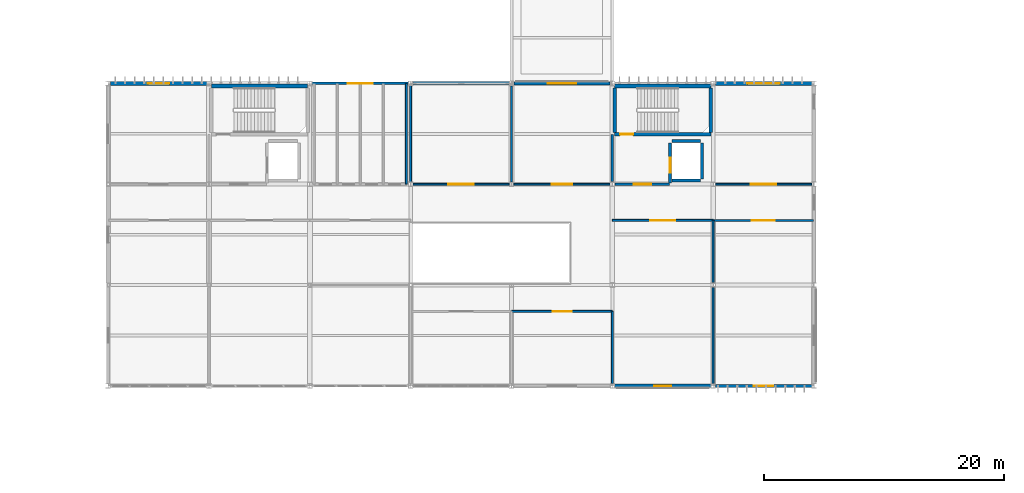
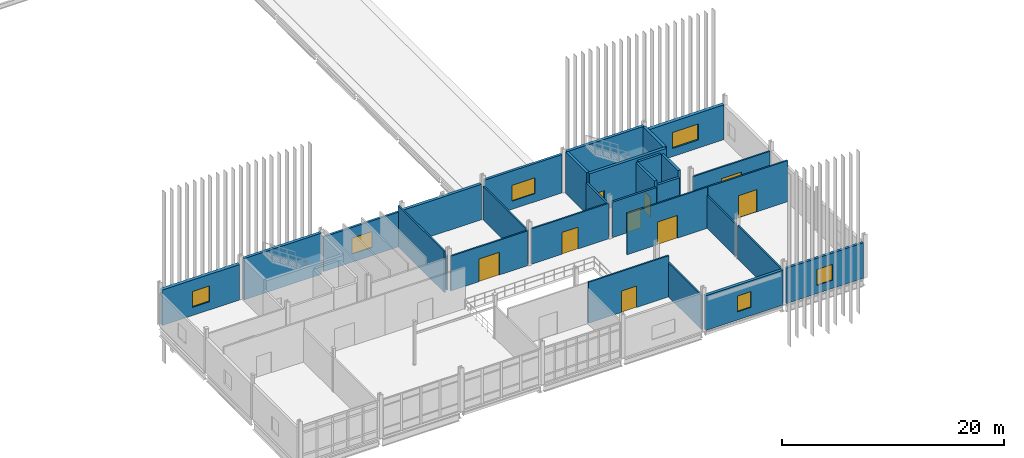
# One storey, part 50 of 72: 30 walls, 9 doors, 6 windows, 15 openings.
"""IFC4 building model written with IfcOpenShell, lengths in metres."""

from ifc_helpers import new_model, si_unit, direction, frame, frame_2d, origin, place, context, subcontext, project, spatial, rectangle, extrude, material, layer, layer_set, type_object, element, fill, save


model = new_model("IFC4")

# Units and contexts
model_context = context("Model", 3, precision=1e-05, world=origin(), true_north=direction((0.0, 1.0)))
body_context = subcontext(model_context, "Body", "Model", "MODEL_VIEW")
ifc_project = project(units=[si_unit("LENGTHUNIT", "METRE"), si_unit("AREAUNIT", "SQUARE_METRE"), si_unit("VOLUMEUNIT", "CUBIC_METRE"), si_unit("PLANEANGLEUNIT", "RADIAN"), si_unit("MASSUNIT", "GRAM", prefix="KILO")], contexts=[model_context])

# Site, building, storey
site_placement = place(None, origin())
site = spatial("IfcSite", under=ifc_project, at=site_placement, CompositionType="ELEMENT")
building_placement = place(site_placement, origin())
building = spatial("IfcBuilding", under=site, at=building_placement, Name="Calvrana Isthmian Art Gallery", CompositionType="ELEMENT")
storey_placement = place(building_placement, frame((0.0, 0.0, 15.0)))
storey = spatial("IfcBuildingStorey", under=building, at=storey_placement, Name="L03", CompositionType="ELEMENT", Elevation=15.0)

# Wall
ifc_material_1 = material(Name="Concrete C40/50", Category="concrete")
ifc_layer_1 = layer(ifc_material_1, 0.300048828125, Name="Concrete C40/50")
ifc_layer_set_1 = layer_set([ifc_layer_1], Name="Concrete C40/50")
wall_type_1 = type_object("IfcWallType", Name="CW-SHAFT-300", PredefinedType="SHEAR", material=ifc_layer_set_1)
wall_1_placement = place(storey_placement, frame((30.18994140625, 46.580078125, 0.0), z_axis=(0.0, 0.0, 1.0), x_axis=(1.0, 0.0, 0.0)))
element("IfcWall", 1, at=wall_1_placement, inside=storey, type_object=wall_type_1, Name="Core C1 shear wall N L03", PredefinedType="SHEAR", context=body_context, shape_type="SweptSolid", body=[
    extrude(rectangle(XDim=8.02001953125, YDim=0.300048828125, at=frame_2d((4.010009765625, 0.0))), origin(), (0.0, 0.0, 1.0), 4.5400390625),
])

# Wall, opening, door
wall_2_placement = place(storey_placement, frame((63.7900390625, 42.56005859375, 0.0), z_axis=(0.0, 0.0, 1.0), x_axis=(1.0, 0.0, 0.0)))
wall_2 = element("IfcWall", 2, at=wall_2_placement, inside=storey, type_object=wall_type_1, Name="Core C2 shear wall S L03", PredefinedType="SHEAR", context=body_context, shape_type="SweptSolid", body=[
    extrude(rectangle(XDim=8.02001953125, YDim=0.300048828125, at=frame_2d((4.010009765625, 0.0))), origin(), (0.0, 0.0, 1.0), 4.5400390625),
])
opening_1_placement = place(wall_2_placement, frame((0.449951171875, 0.0, 0.0)))
opening_1 = element("IfcOpeningElement", 3, at=opening_1_placement, cuts=wall_2, Name="Opening D-122", PredefinedType="OPENING", context=body_context, shape_type="SweptSolid", body=[
    extrude(rectangle(XDim=1.10009765625, YDim=2.14990234375, at=frame_2d((0.550048828125, 1.074951171875))), frame((0.0, 0.16015625, 0.0), z_axis=(0.0, -1.0, 0.0), x_axis=(1.0, 0.0, 0.0)), (0.0, 0.0, 1.0), 0.320556640625),
])
ifc_material_2 = material(Name="Steel ASTM A572 Gr 50", Category="steel")
door_type_1 = type_object("IfcDoorType", Name="DR-FIRE-1100", OperationType="NOTDEFINED", PredefinedType="DOOR", material=ifc_material_2)
door_1_placement = place(opening_1_placement, origin())
door_1 = element("IfcDoor", 4, at=door_1_placement, inside=storey, type_object=door_type_1, Name="Stair ST-2 fire door L03", OperationType="SINGLE_SWING_RIGHT", OverallHeight=2.14990234375, OverallWidth=1.10009765625, PredefinedType="DOOR", context=body_context, shape_type="SweptSolid", body=[
    extrude(rectangle(XDim=1.10009765625, YDim=2.14990234375, at=frame_2d((0.550048828125, 1.074951171875))), frame((0.0, 0.02490234375, 0.0), z_axis=(0.0, -1.0, 0.0), x_axis=(1.0, 0.0, 0.0)), (0.0, 0.0, 1.0), 0.050048828125),
])
fill(opening_1, door_1)

# Walls
wall_3_placement = place(storey_placement, frame((63.7900390625, 46.580078125, 0.0), z_axis=(0.0, 0.0, 1.0), x_axis=(1.0, 0.0, 0.0)))
element("IfcWall", 5, at=wall_3_placement, inside=storey, type_object=wall_type_1, Name="Core C2 shear wall N L03", PredefinedType="SHEAR", context=body_context, shape_type="SweptSolid", body=[
    extrude(rectangle(XDim=8.02001953125, YDim=0.300048828125, at=frame_2d((4.010009765625, 0.0))), origin(), (0.0, 0.0, 1.0), 4.5400390625),
])
for number, where, z_axis, x_axis, name in (
    (6, (63.7900390625, 42.7099609375, 0.0), (0.0, 0.0, 1.0), (0.0, 1.0, 0.0), "Core C2 shear wall W L03"),
    (7, (71.81005859375, 42.7099609375, 0.0), (0.0, 0.0, 1.0), (0.0, 1.0, 0.0), "Core C2 shear wall E L03"),
):
    element("IfcWall", number, at=place(storey_placement, frame(where, z_axis=z_axis, x_axis=x_axis)), inside=storey, type_object=wall_type_1, Name=name, PredefinedType="SHEAR", context=body_context, shape_type="SweptSolid", body=[
        extrude(rectangle(XDim=3.719970703125, YDim=0.300048828125, at=frame_2d((1.85986328125, 0.0))), origin(), (0.0, 0.0, 1.0), 4.5400390625),
    ])

# Wall, opening, window
ifc_material_3 = material(Name="Precast concrete C40/50", Category="concrete")
ifc_layer_2 = layer(ifc_material_3, 0.219970703125, Name="Precast concrete C40/50")
ifc_layer_set_2 = layer_set([ifc_layer_2], Name="Precast concrete C40/50")
wall_type_2 = type_object("IfcWallType", Name="EW-ACOUST-220", PredefinedType="SOLIDWALL", material=ifc_layer_set_2)
wall_4_placement = place(storey_placement, frame((38.58544921875, 46.800048828125, 0.0), z_axis=(0.0, 0.0, 1.0), x_axis=(1.0, 0.0, 0.0)))
wall_4 = element("IfcWall", 8, at=wall_4_placement, inside=storey, type_object=wall_type_2, Name="Exterior wall EW-148", PredefinedType="SOLIDWALL", context=body_context, shape_type="SweptSolid", body=[
    extrude(rectangle(XDim=8.030517578125, YDim=0.219970703125, at=frame_2d((4.01513671875, 0.0))), origin(), (0.0, 0.0, 1.0), 3.826904296875),
])
opening_2_placement = place(wall_4_placement, frame((2.96533203125, 0.0, 0.89990234375)))
opening_2 = element("IfcOpeningElement", 9, at=opening_2_placement, cuts=wall_4, Name="Opening W-105", PredefinedType="OPENING", context=body_context, shape_type="SweptSolid", body=[
    extrude(rectangle(XDim=2.10009765625, YDim=1.75, at=frame_2d((1.050048828125, 0.875))), frame((0.0, 0.1201171875, 0.0), z_axis=(0.0, -1.0, 0.0), x_axis=(1.0, 0.0, 0.0)), (0.0, 0.0, 1.0), 0.240478515625),
])
ifc_material_4 = material(Name="Low-E laminated solar glass", Category="glass")
window_type_1 = type_object("IfcWindowType", Name="WN-G12", PartitioningType="DOUBLE_PANEL_VERTICAL", PredefinedType="WINDOW", material=ifc_material_4)
window_1_placement = place(opening_2_placement, origin())
window_1 = element("IfcWindow", 10, at=window_1_placement, inside=storey, type_object=window_type_1, Name="Facade window W-105", OverallHeight=1.75, OverallWidth=2.10009765625, PartitioningType="SINGLE_PANEL", PredefinedType="WINDOW", context=body_context, shape_type="SweptSolid", body=[
    extrude(rectangle(XDim=2.10009765625, YDim=1.75, at=frame_2d((1.050048828125, 0.875))), frame((0.0, 0.030029296875, 0.0), z_axis=(0.0, -1.0, 0.0), x_axis=(1.0, 0.0, 0.0)), (0.0, 0.0, 1.0), 0.06005859375),
])
fill(opening_2, window_1)

ifc_material_5 = material(Name="Pale Isthmian limestone", Category="masonry")
ifc_layer_3 = layer(ifc_material_5, 0.300048828125, Name="Pale Isthmian limestone")
ifc_layer_set_3 = layer_set([ifc_layer_3], Name="Pale Isthmian limestone")
wall_type_3 = type_object("IfcWallType", Name="EW-LIME-300", PredefinedType="SOLIDWALL", material=ifc_layer_set_3)
wall_5_placement = place(storey_placement, frame((71.8134765625, 21.60009765625, 0.0), z_axis=(0.0, 0.0, 1.0), x_axis=(-1.0, 0.0, 0.0)))
wall_5 = element("IfcWall", 11, at=wall_5_placement, inside=storey, type_object=wall_type_3, Name="Exterior wall EW-145", PredefinedType="SOLIDWALL", context=body_context, shape_type="SweptSolid", body=[
    extrude(rectangle(XDim=8.02685546875, YDim=0.300048828125, at=frame_2d((4.013427734375, 0.0))), origin(), (0.0, 0.0, 1.0), 3.826904296875),
])
opening_3_placement = place(wall_5_placement, frame((3.3134765625, 0.0, 0.89990234375)))
opening_3 = element("IfcOpeningElement", 12, at=opening_3_placement, cuts=wall_5, Name="Opening W-102", PredefinedType="OPENING", context=body_context, shape_type="SweptSolid", body=[
    extrude(rectangle(XDim=1.39990234375, YDim=1.75, at=frame_2d((0.699951171875, 0.875))), frame((0.0, 0.16015625, 0.0), z_axis=(0.0, -1.0, 0.0), x_axis=(1.0, 0.0, 0.0)), (0.0, 0.0, 1.0), 0.320556640625),
])
window_type_2 = type_object("IfcWindowType", Name="WN-G09", PartitioningType="SINGLE_PANEL", PredefinedType="WINDOW", material=ifc_material_4)
window_2_placement = place(opening_3_placement, origin())
window_2 = element("IfcWindow", 13, at=window_2_placement, inside=storey, type_object=window_type_2, Name="Facade window W-102", OverallHeight=1.75, OverallWidth=1.39990234375, PartitioningType="SINGLE_PANEL", PredefinedType="WINDOW", context=body_context, shape_type="SweptSolid", body=[
    extrude(rectangle(XDim=1.39990234375, YDim=1.75, at=frame_2d((0.699951171875, 0.875))), frame((0.0, 0.030029296875, 0.0), z_axis=(0.0, -1.0, 0.0), x_axis=(1.0, 0.0, 0.0)), (0.0, 0.0, 1.0), 0.06005859375),
])
fill(opening_3, window_2)

# Wall
wall_6_placement = place(storey_placement, frame((46.98388671875, 46.800048828125, 0.0), z_axis=(0.0, 0.0, 1.0), x_axis=(1.0, 0.0, 0.0)))
element("IfcWall", 14, at=wall_6_placement, inside=storey, type_object=wall_type_3, Name="Exterior wall EW-149", PredefinedType="SOLIDWALL", context=body_context, shape_type="SweptSolid", body=[
    extrude(rectangle(XDim=8.029541015625, YDim=0.300048828125, at=frame_2d((4.0146484375, 0.0))), origin(), (0.0, 0.0, 1.0), 3.89794921875),
])

# Wall, opening, window
ifc_layer_4 = layer(ifc_material_3, 0.35009765625, Name="Precast concrete C40/50")
ifc_layer_set_4 = layer_set([ifc_layer_4], Name="Precast concrete C40/50")
wall_type_4 = type_object("IfcWallType", Name="EW-PREC-350", PredefinedType="SOLIDWALL", material=ifc_layer_set_4)
wall_7_placement = place(storey_placement, frame((21.78662109375, 46.800048828125, 0.0), z_axis=(0.0, 0.0, 1.0), x_axis=(1.0, 0.0, 0.0)))
wall_7 = element("IfcWall", 15, at=wall_7_placement, inside=storey, type_object=wall_type_4, Name="Exterior wall EW-147", PredefinedType="SOLIDWALL", context=body_context, shape_type="SweptSolid", body=[
    extrude(rectangle(XDim=8.02685546875, YDim=0.35009765625, at=frame_2d((4.013427734375, 0.0))), origin(), (0.0, 0.0, 1.0), 3.907958984375),
])
opening_4_placement = place(wall_7_placement, frame((3.113525390625, 0.0, 0.89990234375)))
opening_4 = element("IfcOpeningElement", 16, at=opening_4_placement, cuts=wall_7, Name="Opening W-104", PredefinedType="OPENING", context=body_context, shape_type="SweptSolid", body=[
    extrude(rectangle(XDim=1.800048828125, YDim=1.75, at=frame_2d((0.89990234375, 0.875))), frame((0.0, 0.185302734375, 0.0), z_axis=(0.0, -1.0, 0.0), x_axis=(1.0, 0.0, 0.0)), (0.0, 0.0, 1.0), 0.37060546875),
])
window_type_3 = type_object("IfcWindowType", Name="WN-G11", PartitioningType="DOUBLE_PANEL_VERTICAL", PredefinedType="WINDOW", material=ifc_material_4)
window_3_placement = place(opening_4_placement, origin())
window_3 = element("IfcWindow", 17, at=window_3_placement, inside=storey, type_object=window_type_3, Name="Facade window W-104", OverallHeight=1.75, OverallWidth=1.800048828125, PartitioningType="SINGLE_PANEL", PredefinedType="WINDOW", context=body_context, shape_type="SweptSolid", body=[
    extrude(rectangle(XDim=1.800048828125, YDim=1.75, at=frame_2d((0.89990234375, 0.875))), frame((0.0, 0.030029296875, 0.0), z_axis=(0.0, -1.0, 0.0), x_axis=(1.0, 0.0, 0.0)), (0.0, 0.0, 1.0), 0.06005859375),
])
fill(opening_4, window_3)

wall_8_placement = place(storey_placement, frame((72.185546875, 46.800048828125, 0.0), z_axis=(0.0, 0.0, 1.0), x_axis=(1.0, 0.0, 0.0)))
wall_8 = element("IfcWall", 18, at=wall_8_placement, inside=storey, type_object=wall_type_4, Name="Exterior wall EW-151", PredefinedType="SOLIDWALL", context=body_context, shape_type="SweptSolid", body=[
    extrude(rectangle(XDim=8.030517578125, YDim=0.35009765625, at=frame_2d((4.01513671875, 0.0))), origin(), (0.0, 0.0, 1.0), 3.826904296875),
])
opening_5_placement = place(wall_8_placement, frame((2.665283203125, 0.0, 0.89990234375)))
opening_5 = element("IfcOpeningElement", 19, at=opening_5_placement, cuts=wall_8, Name="Opening W-107", PredefinedType="OPENING", context=body_context, shape_type="SweptSolid", body=[
    extrude(rectangle(XDim=2.699951171875, YDim=1.75, at=frame_2d((1.35009765625, 0.875))), frame((0.0, 0.185302734375, 0.0), z_axis=(0.0, -1.0, 0.0), x_axis=(1.0, 0.0, 0.0)), (0.0, 0.0, 1.0), 0.37060546875),
])
window_type_4 = type_object("IfcWindowType", Name="WN-G14", PartitioningType="DOUBLE_PANEL_VERTICAL", PredefinedType="WINDOW", material=ifc_material_4)
window_4_placement = place(opening_5_placement, origin())
window_4 = element("IfcWindow", 20, at=window_4_placement, inside=storey, type_object=window_type_4, Name="Facade window W-107", OverallHeight=1.75, OverallWidth=2.699951171875, PartitioningType="SINGLE_PANEL", PredefinedType="WINDOW", context=body_context, shape_type="SweptSolid", body=[
    extrude(rectangle(XDim=2.699951171875, YDim=1.75, at=frame_2d((1.35009765625, 0.875))), frame((0.0, 0.030029296875, 0.0), z_axis=(0.0, -1.0, 0.0), x_axis=(1.0, 0.0, 0.0)), (0.0, 0.0, 1.0), 0.06005859375),
])
fill(opening_5, window_4)

ifc_material_6 = material(Name="Polychrome glazed terracotta", Category="masonry")
ifc_layer_5 = layer(ifc_material_6, 0.25, Name="Polychrome glazed terracotta")
ifc_layer_set_5 = layer_set([ifc_layer_5], Name="Polychrome glazed terracotta")
wall_type_5 = type_object("IfcWallType", Name="EW-TERRA-250", PredefinedType="SOLIDWALL", material=ifc_layer_set_5)
wall_9_placement = place(storey_placement, frame((80.214599609375, 21.60009765625, 0.0), z_axis=(0.0, 0.0, 1.0), x_axis=(-1.0, 0.0, 0.0)))
wall_9 = element("IfcWall", 21, at=wall_9_placement, inside=storey, type_object=wall_type_5, Name="Exterior wall EW-146", PredefinedType="SOLIDWALL", context=body_context, shape_type="SweptSolid", body=[
    extrude(rectangle(XDim=8.028076171875, YDim=0.25, at=frame_2d((4.01416015625, 0.0))), origin(), (0.0, 0.0, 1.0), 3.89794921875),
])
opening_6_placement = place(wall_9_placement, frame((3.214111328125, 0.0, 0.89990234375)))
opening_6 = element("IfcOpeningElement", 22, at=opening_6_placement, cuts=wall_9, Name="Opening W-103", PredefinedType="OPENING", context=body_context, shape_type="SweptSolid", body=[
    extrude(rectangle(XDim=1.60009765625, YDim=1.75, at=frame_2d((0.800048828125, 0.875))), frame((0.0, 0.13525390625, 0.0), z_axis=(0.0, -1.0, 0.0), x_axis=(1.0, 0.0, 0.0)), (0.0, 0.0, 1.0), 0.2705078125),
])
window_type_5 = type_object("IfcWindowType", Name="WN-G10", PartitioningType="SINGLE_PANEL", PredefinedType="WINDOW", material=ifc_material_4)
window_5_placement = place(opening_6_placement, origin())
window_5 = element("IfcWindow", 23, at=window_5_placement, inside=storey, type_object=window_type_5, Name="Facade window W-103", OverallHeight=1.75, OverallWidth=1.60009765625, PartitioningType="SINGLE_PANEL", PredefinedType="WINDOW", context=body_context, shape_type="SweptSolid", body=[
    extrude(rectangle(XDim=1.60009765625, YDim=1.75, at=frame_2d((0.800048828125, 0.875))), frame((0.0, 0.030029296875, 0.0), z_axis=(0.0, -1.0, 0.0), x_axis=(1.0, 0.0, 0.0)), (0.0, 0.0, 1.0), 0.06005859375),
])
fill(opening_6, window_5)

wall_10_placement = place(storey_placement, frame((55.386474609375, 46.800048828125, 0.0), z_axis=(0.0, 0.0, 1.0), x_axis=(1.0, 0.0, 0.0)))
wall_10 = element("IfcWall", 24, at=wall_10_placement, inside=storey, type_object=wall_type_5, Name="Exterior wall EW-150", PredefinedType="SOLIDWALL", context=body_context, shape_type="SweptSolid", body=[
    extrude(rectangle(XDim=8.027099609375, YDim=0.25, at=frame_2d((4.013671875, 0.0))), origin(), (0.0, 0.0, 1.0), 4.215087890625),
])
opening_7_placement = place(wall_10_placement, frame((2.8134765625, 0.0, 0.89990234375)))
opening_7 = element("IfcOpeningElement", 25, at=opening_7_placement, cuts=wall_10, Name="Opening W-106", PredefinedType="OPENING", context=body_context, shape_type="SweptSolid", body=[
    extrude(rectangle(XDim=2.39990234375, YDim=1.75, at=frame_2d((1.199951171875, 0.875))), frame((0.0, 0.13525390625, 0.0), z_axis=(0.0, -1.0, 0.0), x_axis=(1.0, 0.0, 0.0)), (0.0, 0.0, 1.0), 0.2705078125),
])
window_type_6 = type_object("IfcWindowType", Name="WN-G13", PartitioningType="DOUBLE_PANEL_VERTICAL", PredefinedType="WINDOW", material=ifc_material_4)
window_6_placement = place(opening_7_placement, origin())
window_6 = element("IfcWindow", 26, at=window_6_placement, inside=storey, type_object=window_type_6, Name="Facade window W-106", OverallHeight=1.75, OverallWidth=2.39990234375, PartitioningType="SINGLE_PANEL", PredefinedType="WINDOW", context=body_context, shape_type="SweptSolid", body=[
    extrude(rectangle(XDim=2.39990234375, YDim=1.75, at=frame_2d((1.199951171875, 0.875))), frame((0.0, 0.030029296875, 0.0), z_axis=(0.0, -1.0, 0.0), x_axis=(1.0, 0.0, 0.0)), (0.0, 0.0, 1.0), 0.06005859375),
])
fill(opening_7, window_6)

# Wall
ifc_material_7 = material(Name="Acoustic gypsum ceiling", Category="gypsum")
ifc_layer_6 = layer(ifc_material_7, 0.199951171875, Name="Acoustic gypsum ceiling")
ifc_layer_set_6 = layer_set([ifc_layer_6], Name="Acoustic gypsum ceiling")
wall_type_6 = type_object("IfcWallType", Name="PW-FIRE-200", PredefinedType="PARTITIONING", material=ifc_layer_set_6)
wall_11_placement = place(storey_placement, frame((63.60009765625, 38.6201171875, 0.0), z_axis=(0.0, 0.0, 1.0), x_axis=(0.0, 1.0, 0.0)))
element("IfcWall", 27, at=wall_11_placement, inside=storey, type_object=wall_type_6, Name="Core C2 lobby west closure L03", PredefinedType="PARTITIONING", context=body_context, shape_type="SweptSolid", body=[
    extrude(rectangle(XDim=3.919921875, YDim=0.199951171875, at=frame_2d((1.9599609375, 0.0))), origin(), (0.0, 0.0, 1.0), 3.593017578125),
])

# Wall, opening, door
wall_12_placement = place(storey_placement, frame((63.820068359375, 38.39990234375, 0.0), z_axis=(0.0, 0.0, 1.0), x_axis=(1.0, 0.0, 0.0)))
wall_12 = element("IfcWall", 28, at=wall_12_placement, inside=storey, type_object=wall_type_6, Name="Core C2 lobby enclosure L03", PredefinedType="PARTITIONING", context=body_context, shape_type="SweptSolid", body=[
    extrude(rectangle(XDim=4.559814453125, YDim=0.199951171875, at=frame_2d((2.27978515625, 0.0))), origin(), (0.0, 0.0, 1.0), 3.907958984375),
])
opening_8_placement = place(wall_12_placement, frame((1.554931640625, 0.0, 0.0)))
opening_8 = element("IfcOpeningElement", 29, at=opening_8_placement, cuts=wall_12, Name="Opening D-123", PredefinedType="OPENING", context=body_context, shape_type="SweptSolid", body=[
    extrude(rectangle(XDim=1.449951171875, YDim=2.199951171875, at=frame_2d((0.72509765625, 1.10009765625))), frame((0.0, 0.1103515625, 0.0), z_axis=(0.0, -1.0, 0.0), x_axis=(1.0, 0.0, 0.0)), (0.0, 0.0, 1.0), 0.220458984375),
])
door_type_2 = type_object("IfcDoorType", Name="DR-LOBBY-1450", OperationType="DOUBLE_DOOR_SINGLE_SWING", PredefinedType="DOOR", material=ifc_material_2)
door_2_placement = place(opening_8_placement, origin())
door_2 = element("IfcDoor", 30, at=door_2_placement, inside=storey, type_object=door_type_2, Name="Core C2 lobby fire door L03", OperationType="DOUBLE_DOOR_SINGLE_SWING", OverallHeight=2.199951171875, OverallWidth=1.449951171875, PredefinedType="DOOR", context=body_context, shape_type="SweptSolid", body=[
    extrude(rectangle(XDim=1.449951171875, YDim=2.199951171875, at=frame_2d((0.72509765625, 1.10009765625))), frame((0.0, 0.02490234375, 0.0), z_axis=(0.0, -1.0, 0.0), x_axis=(1.0, 0.0, 0.0)), (0.0, 0.0, 1.0), 0.050048828125),
])
fill(opening_8, door_2)

ifc_layer_7 = layer(ifc_material_7, 0.159912109375, Name="Acoustic gypsum ceiling")
ifc_layer_set_7 = layer_set([ifc_layer_7], Name="Acoustic gypsum ceiling")
wall_type_7 = type_object("IfcWallType", Name="PW-GAL-160", PredefinedType="PARTITIONING", material=ifc_layer_set_7)
wall_13_placement = place(storey_placement, frame((55.219970703125, 27.800048828125, 0.0), z_axis=(0.0, 0.0, 1.0), x_axis=(1.0, 0.0, 0.0)))
wall_13 = element("IfcWall", 31, at=wall_13_placement, inside=storey, type_object=wall_type_7, Name="Interior partition PW-526", PredefinedType="PARTITIONING", context=body_context, shape_type="SweptSolid", body=[
    extrude(rectangle(XDim=8.360107421875, YDim=0.159912109375, at=frame_2d((4.18017578125, 0.0))), origin(), (0.0, 0.0, 1.0), 4.52001953125),
])
opening_9_placement = place(wall_13_placement, frame((3.39990234375, 0.0, 0.0)))
opening_9 = element("IfcOpeningElement", 32, at=opening_9_placement, cuts=wall_13, Name="Opening D-472", PredefinedType="OPENING", context=body_context, shape_type="SweptSolid", body=[
    extrude(rectangle(XDim=1.60009765625, YDim=2.35009765625, at=frame_2d((0.800048828125, 1.175048828125))), frame((0.0, 0.09033203125, 0.0), z_axis=(0.0, -1.0, 0.0), x_axis=(1.0, 0.0, 0.0)), (0.0, 0.0, 1.0), 0.180419921875),
])
ifc_material_8 = material(Name="Timber gallery flooring", Category="wood")
door_type_3 = type_object("IfcDoorType", Name="DR-GAL-1600", OperationType="DOUBLE_DOOR_SINGLE_SWING", PredefinedType="DOOR", material=ifc_material_8)
door_3_placement = place(opening_9_placement, origin())
door_3 = element("IfcDoor", 33, at=door_3_placement, inside=storey, type_object=door_type_3, Name="Interior door D-472", OperationType="DOUBLE_DOOR_SINGLE_SWING", OverallHeight=2.35009765625, OverallWidth=1.60009765625, PredefinedType="DOOR", context=body_context, shape_type="SweptSolid", body=[
    extrude(rectangle(XDim=1.60009765625, YDim=2.35009765625, at=frame_2d((0.800048828125, 1.175048828125))), frame((0.0, 0.02490234375, 0.0), z_axis=(0.0, -1.0, 0.0), x_axis=(1.0, 0.0, 0.0)), (0.0, 0.0, 1.0), 0.050048828125),
])
fill(opening_9, door_3)

# Wall
wall_14_placement = place(storey_placement, frame((63.60009765625, 21.801513671875, 0.0), z_axis=(0.0, 0.0, 1.0), x_axis=(0.0, 1.0, 0.0)))
element("IfcWall", 34, at=wall_14_placement, inside=storey, type_object=wall_type_7, Name="Interior partition PW-527", PredefinedType="PARTITIONING", context=body_context, shape_type="SweptSolid", body=[
    extrude(rectangle(XDim=5.99853515625, YDim=0.159912109375, at=frame_2d((2.999267578125, 0.0))), origin(), (0.0, 0.0, 1.0), 3.748046875),
])

# Wall, opening, door
wall_15_placement = place(storey_placement, frame((63.610107421875, 35.389892578125, 0.0), z_axis=(0.0, 0.0, 1.0), x_axis=(1.0, 0.0, 0.0)))
wall_15 = element("IfcWall", 35, at=wall_15_placement, inside=storey, type_object=wall_type_7, Name="Interior partition PW-528", PredefinedType="PARTITIONING", context=body_context, shape_type="SweptSolid", body=[
    extrude(rectangle(XDim=8.3798828125, YDim=0.159912109375, at=frame_2d((4.18994140625, 0.0))), origin(), (0.0, 0.0, 1.0), 4.52001953125),
])
opening_10_placement = place(wall_15_placement, frame((3.139892578125, 0.0, 0.0)))
opening_10 = element("IfcOpeningElement", 36, at=opening_10_placement, cuts=wall_15, Name="Opening D-473", PredefinedType="OPENING", context=body_context, shape_type="SweptSolid", body=[
    extrude(rectangle(XDim=2.10009765625, YDim=2.5, at=frame_2d((1.050048828125, 1.25))), frame((0.0, 0.09033203125, 0.0), z_axis=(0.0, -1.0, 0.0), x_axis=(1.0, 0.0, 0.0)), (0.0, 0.0, 1.0), 0.180419921875),
])
door_type_4 = type_object("IfcDoorType", Name="DR-GAL-2100", OperationType="DOUBLE_DOOR_SINGLE_SWING", PredefinedType="DOOR", material=ifc_material_8)
door_4_placement = place(opening_10_placement, origin())
door_4 = element("IfcDoor", 37, at=door_4_placement, inside=storey, type_object=door_type_4, Name="Interior door D-473", OperationType="DOUBLE_DOOR_SINGLE_SWING", OverallHeight=2.5, OverallWidth=2.10009765625, PredefinedType="DOOR", context=body_context, shape_type="SweptSolid", body=[
    extrude(rectangle(XDim=2.10009765625, YDim=2.5, at=frame_2d((1.050048828125, 1.25))), frame((0.0, 0.02490234375, 0.0), z_axis=(0.0, -1.0, 0.0), x_axis=(1.0, 0.0, 0.0)), (0.0, 0.0, 1.0), 0.050048828125),
])
fill(opening_10, door_4)

# Walls
wall_16_placement = place(storey_placement, frame((72.0, 21.799072265625, 0.0), z_axis=(0.0, 0.0, 1.0), x_axis=(0.0, 1.0, 0.0)))
element("IfcWall", 38, at=wall_16_placement, inside=storey, type_object=wall_type_7, Name="Interior partition PW-529", PredefinedType="PARTITIONING", context=body_context, shape_type="SweptSolid", body=[
    extrude(rectangle(XDim=7.99951171875, YDim=0.159912109375, at=frame_2d((3.999755859375, 0.0))), origin(), (0.0, 0.0, 1.0), 3.6640625),
])
wall_17_placement = place(storey_placement, frame((72.0, 30.201416015625, 0.0), z_axis=(0.0, 0.0, 1.0), x_axis=(0.0, 1.0, 0.0)))
element("IfcWall", 39, at=wall_17_placement, inside=storey, type_object=wall_type_7, Name="Interior partition PW-530", PredefinedType="PARTITIONING", context=body_context, shape_type="SweptSolid", body=[
    extrude(rectangle(XDim=5.178466796875, YDim=0.159912109375, at=frame_2d((2.58935546875, 0.0))), origin(), (0.0, 0.0, 1.0), 3.593017578125),
])

# Wall, opening, door
wall_18_placement = place(storey_placement, frame((72.010009765625, 35.389892578125, 0.0), z_axis=(0.0, 0.0, 1.0), x_axis=(1.0, 0.0, 0.0)))
wall_18 = element("IfcWall", 40, at=wall_18_placement, inside=storey, type_object=wall_type_7, Name="Interior partition PW-531", PredefinedType="PARTITIONING", context=body_context, shape_type="SweptSolid", body=[
    extrude(rectangle(XDim=8.330078125, YDim=0.159912109375, at=frame_2d((4.1650390625, 0.0))), origin(), (0.0, 0.0, 1.0), 4.52001953125),
])
opening_11_placement = place(wall_18_placement, frame((3.215087890625, 0.0, 0.0)))
opening_11 = element("IfcOpeningElement", 41, at=opening_11_placement, cuts=wall_18, Name="Opening D-474", PredefinedType="OPENING", context=body_context, shape_type="SweptSolid", body=[
    extrude(rectangle(XDim=1.89990234375, YDim=2.449951171875, at=frame_2d((0.949951171875, 1.22509765625))), frame((0.0, 0.09033203125, 0.0), z_axis=(0.0, -1.0, 0.0), x_axis=(1.0, 0.0, 0.0)), (0.0, 0.0, 1.0), 0.180419921875),
])
door_type_5 = type_object("IfcDoorType", Name="DR-GAL-1900", OperationType="DOUBLE_DOOR_SINGLE_SWING", PredefinedType="DOOR", material=ifc_material_8)
door_5_placement = place(opening_11_placement, origin())
door_5 = element("IfcDoor", 42, at=door_5_placement, inside=storey, type_object=door_type_5, Name="Interior door D-474", OperationType="DOUBLE_DOOR_SINGLE_SWING", OverallHeight=2.449951171875, OverallWidth=1.89990234375, PredefinedType="DOOR", context=body_context, shape_type="SweptSolid", body=[
    extrude(rectangle(XDim=1.89990234375, YDim=2.449951171875, at=frame_2d((0.949951171875, 1.22509765625))), frame((0.0, 0.02490234375, 0.0), z_axis=(0.0, -1.0, 0.0), x_axis=(1.0, 0.0, 0.0)), (0.0, 0.0, 1.0), 0.050048828125),
])
fill(opening_11, door_5)

# Walls
wall_19_placement = place(storey_placement, frame((46.43994140625, 38.409912109375, 0.0), z_axis=(0.0, 0.0, 1.0), x_axis=(0.0, 1.0, 0.0)))
element("IfcWall", 43, at=wall_19_placement, inside=storey, type_object=wall_type_7, Name="Interior partition PW-537", PredefinedType="PARTITIONING", context=body_context, shape_type="SweptSolid", body=[
    extrude(rectangle(XDim=8.360107421875, YDim=0.159912109375, at=frame_2d((4.18017578125, 0.0))), origin(), (0.0, 0.0, 1.0), 4.52001953125),
])
wall_20_placement = place(storey_placement, frame((46.800048828125, 38.6015625, 0.0), z_axis=(0.0, 0.0, 1.0), x_axis=(0.0, 1.0, 0.0)))
element("IfcWall", 44, at=wall_20_placement, inside=storey, type_object=wall_type_7, Name="Interior partition PW-539", PredefinedType="PARTITIONING", context=body_context, shape_type="SweptSolid", body=[
    extrude(rectangle(XDim=8.00537109375, YDim=0.159912109375, at=frame_2d((4.002685546875, 0.0))), origin(), (0.0, 0.0, 1.0), 3.748046875),
])

# Wall, opening, door
wall_21_placement = place(storey_placement, frame((47.00146484375, 38.39990234375, 0.0), z_axis=(0.0, 0.0, 1.0), x_axis=(1.0, 0.0, 0.0)))
wall_21 = element("IfcWall", 45, at=wall_21_placement, inside=storey, type_object=wall_type_7, Name="Interior partition PW-540", PredefinedType="PARTITIONING", context=body_context, shape_type="SweptSolid", body=[
    extrude(rectangle(XDim=7.9970703125, YDim=0.159912109375, at=frame_2d((3.99853515625, 0.0))), origin(), (0.0, 0.0, 1.0), 3.826904296875),
])
opening_12_placement = place(wall_21_placement, frame((2.948486328125, 0.0, 0.0)))
opening_12 = element("IfcOpeningElement", 46, at=opening_12_placement, cuts=wall_21, Name="Opening D-480", PredefinedType="OPENING", context=body_context, shape_type="SweptSolid", body=[
    extrude(rectangle(XDim=2.10009765625, YDim=2.5, at=frame_2d((1.050048828125, 1.25))), frame((0.0, 0.09033203125, 0.0), z_axis=(0.0, -1.0, 0.0), x_axis=(1.0, 0.0, 0.0)), (0.0, 0.0, 1.0), 0.180419921875),
])
door_6_placement = place(opening_12_placement, origin())
door_6 = element("IfcDoor", 47, at=door_6_placement, inside=storey, type_object=door_type_4, Name="Interior door D-480", OperationType="DOUBLE_DOOR_SINGLE_SWING", OverallHeight=2.5, OverallWidth=2.10009765625, PredefinedType="DOOR", context=body_context, shape_type="SweptSolid", body=[
    extrude(rectangle(XDim=2.10009765625, YDim=2.5, at=frame_2d((1.050048828125, 1.25))), frame((0.0, 0.02490234375, 0.0), z_axis=(0.0, -1.0, 0.0), x_axis=(1.0, 0.0, 0.0)), (0.0, 0.0, 1.0), 0.050048828125),
])
fill(opening_12, door_6)

# Wall
wall_22_placement = place(storey_placement, frame((55.199951171875, 38.59912109375, 0.0), z_axis=(0.0, 0.0, 1.0), x_axis=(0.0, 1.0, 0.0)))
element("IfcWall", 48, at=wall_22_placement, inside=storey, type_object=wall_type_7, Name="Interior partition PW-541", PredefinedType="PARTITIONING", context=body_context, shape_type="SweptSolid", body=[
    extrude(rectangle(XDim=7.999267578125, YDim=0.159912109375, at=frame_2d((3.99951171875, 0.0))), origin(), (0.0, 0.0, 1.0), 3.6640625),
])

# Wall, opening, door
wall_23_placement = place(storey_placement, frame((55.401611328125, 38.39990234375, 0.0), z_axis=(0.0, 0.0, 1.0), x_axis=(1.0, 0.0, 0.0)))
wall_23 = element("IfcWall", 49, at=wall_23_placement, inside=storey, type_object=wall_type_7, Name="Interior partition PW-542", PredefinedType="PARTITIONING", context=body_context, shape_type="SweptSolid", body=[
    extrude(rectangle(XDim=7.997802734375, YDim=0.159912109375, at=frame_2d((3.9990234375, 0.0))), origin(), (0.0, 0.0, 1.0), 3.89794921875),
])
opening_13_placement = place(wall_23_placement, frame((3.14892578125, 0.0, 0.0)))
opening_13 = element("IfcOpeningElement", 50, at=opening_13_placement, cuts=wall_23, Name="Opening D-481", PredefinedType="OPENING", context=body_context, shape_type="SweptSolid", body=[
    extrude(rectangle(XDim=1.699951171875, YDim=2.39990234375, at=frame_2d((0.85009765625, 1.199951171875))), frame((0.0, 0.09033203125, 0.0), z_axis=(0.0, -1.0, 0.0), x_axis=(1.0, 0.0, 0.0)), (0.0, 0.0, 1.0), 0.180419921875),
])
door_type_6 = type_object("IfcDoorType", Name="DR-GAL-1700", OperationType="DOUBLE_DOOR_SINGLE_SWING", PredefinedType="DOOR", material=ifc_material_8)
door_7_placement = place(opening_13_placement, origin())
door_7 = element("IfcDoor", 51, at=door_7_placement, inside=storey, type_object=door_type_6, Name="Interior door D-481", OperationType="DOUBLE_DOOR_SINGLE_SWING", OverallHeight=2.39990234375, OverallWidth=1.699951171875, PredefinedType="DOOR", context=body_context, shape_type="SweptSolid", body=[
    extrude(rectangle(XDim=1.699951171875, YDim=2.39990234375, at=frame_2d((0.85009765625, 1.199951171875))), frame((0.0, 0.02490234375, 0.0), z_axis=(0.0, -1.0, 0.0), x_axis=(1.0, 0.0, 0.0)), (0.0, 0.0, 1.0), 0.050048828125),
])
fill(opening_13, door_7)

wall_24_placement = place(storey_placement, frame((72.198974609375, 38.39990234375, 0.0), z_axis=(0.0, 0.0, 1.0), x_axis=(1.0, 0.0, 0.0)))
wall_24 = element("IfcWall", 52, at=wall_24_placement, inside=storey, type_object=wall_type_7, Name="Interior partition PW-543", PredefinedType="PARTITIONING", context=body_context, shape_type="SweptSolid", body=[
    extrude(rectangle(XDim=7.99951171875, YDim=0.159912109375, at=frame_2d((3.999755859375, 0.0))), origin(), (0.0, 0.0, 1.0), 3.758056640625),
])
opening_14_placement = place(wall_24_placement, frame((2.94970703125, 0.0, 0.0)))
opening_14 = element("IfcOpeningElement", 53, at=opening_14_placement, cuts=wall_24, Name="Opening D-482", PredefinedType="OPENING", context=body_context, shape_type="SweptSolid", body=[
    extrude(rectangle(XDim=2.10009765625, YDim=2.5, at=frame_2d((1.050048828125, 1.25))), frame((0.0, 0.09033203125, 0.0), z_axis=(0.0, -1.0, 0.0), x_axis=(1.0, 0.0, 0.0)), (0.0, 0.0, 1.0), 0.180419921875),
])
door_8_placement = place(opening_14_placement, origin())
door_8 = element("IfcDoor", 54, at=door_8_placement, inside=storey, type_object=door_type_4, Name="Interior door D-482", OperationType="DOUBLE_DOOR_SINGLE_SWING", OverallHeight=2.5, OverallWidth=2.10009765625, PredefinedType="DOOR", context=body_context, shape_type="SweptSolid", body=[
    extrude(rectangle(XDim=2.10009765625, YDim=2.5, at=frame_2d((1.050048828125, 1.25))), frame((0.0, 0.02490234375, 0.0), z_axis=(0.0, -1.0, 0.0), x_axis=(1.0, 0.0, 0.0)), (0.0, 0.0, 1.0), 0.050048828125),
])
fill(opening_14, door_8)

# Walls
ifc_material_9 = material(Name="Concrete C35/45", Category="concrete")
ifc_layer_8 = layer(ifc_material_9, 0.25, Name="Concrete C35/45")
ifc_layer_set_8 = layer_set([ifc_layer_8], Name="Concrete C35/45")
wall_type_8 = type_object("IfcWallType", Name="PW-SHAFT-250", PredefinedType="PARTITIONING", material=ifc_layer_set_8)
wall_25_placement = place(storey_placement, frame((71.080078125, 38.85009765625, 0.0), z_axis=(0.0, 0.0, 1.0), x_axis=(0.0, 1.0, 0.0)))
element("IfcWall", 55, at=wall_25_placement, inside=storey, type_object=wall_type_8, Name="Lift EL-02 shaft wall E L03", PredefinedType="PARTITIONING", context=body_context, shape_type="SweptSolid", body=[
    extrude(rectangle(XDim=3.0, YDim=0.25, at=frame_2d((1.5, 0.0))), origin(), (0.0, 0.0, 1.0), 4.5400390625),
])
wall_26_placement = place(storey_placement, frame((68.550048828125, 38.719970703125, 0.0), z_axis=(0.0, 0.0, 1.0), x_axis=(1.0, 0.0, 0.0)))
element("IfcWall", 56, at=wall_26_placement, inside=storey, type_object=wall_type_8, Name="Lift EL-02 shaft wall S L03", PredefinedType="PARTITIONING", context=body_context, shape_type="SweptSolid", body=[
    extrude(rectangle(XDim=2.39990234375, YDim=0.25, at=frame_2d((1.199951171875, 0.0))), origin(), (0.0, 0.0, 1.0), 3.907958984375),
])
wall_27_placement = place(storey_placement, frame((68.550048828125, 41.97998046875, 0.0), z_axis=(0.0, 0.0, 1.0), x_axis=(1.0, 0.0, 0.0)))
element("IfcWall", 57, at=wall_27_placement, inside=storey, type_object=wall_type_8, Name="Lift EL-02 shaft wall N L03", PredefinedType="PARTITIONING", context=body_context, shape_type="SweptSolid", body=[
    extrude(rectangle(XDim=2.39990234375, YDim=0.25, at=frame_2d((1.199951171875, 0.0))), origin(), (0.0, 0.0, 1.0), 4.5400390625),
])

# Wall, opening, door
wall_28_placement = place(storey_placement, frame((68.419921875, 38.5, 0.0), z_axis=(0.0, 0.0, 1.0), x_axis=(0.0, 1.0, 0.0)))
wall_28 = element("IfcWall", 58, at=wall_28_placement, inside=storey, type_object=wall_type_8, Name="Lift EL-02 shaft wall W L03", PredefinedType="PARTITIONING", context=body_context, shape_type="SweptSolid", body=[
    extrude(rectangle(XDim=3.35009765625, YDim=0.25, at=frame_2d((1.675048828125, 0.0))), origin(), (0.0, 0.0, 1.0), 4.5400390625),
])
opening_15_placement = place(wall_28_placement, frame((0.85009765625, 0.0, 0.0)))
opening_15 = element("IfcOpeningElement", 59, at=opening_15_placement, cuts=wall_28, Name="Opening LD-02-L03", PredefinedType="OPENING", context=body_context, shape_type="SweptSolid", body=[
    extrude(rectangle(XDim=1.25, YDim=2.14990234375, at=frame_2d((0.625, 1.074951171875))), frame((0.0, 0.13525390625, 0.0), z_axis=(0.0, -1.0, 0.0), x_axis=(1.0, 0.0, 0.0)), (0.0, 0.0, 1.0), 0.2705078125),
])
ifc_material_10 = material(Name="Stainless steel 316", Category="steel")
door_type_7 = type_object("IfcDoorType", Name="DR-LIFT-1250", OperationType="DOUBLE_DOOR_SLIDING", PredefinedType="DOOR", material=ifc_material_10)
door_9_placement = place(opening_15_placement, origin())
door_9 = element("IfcDoor", 60, at=door_9_placement, inside=storey, type_object=door_type_7, Name="Lift EL-02 sliding landing door L03", OperationType="DOUBLE_DOOR_SLIDING", OverallHeight=2.14990234375, OverallWidth=1.25, PredefinedType="DOOR", context=body_context, shape_type="SweptSolid", body=[
    extrude(rectangle(XDim=1.25, YDim=2.14990234375, at=frame_2d((0.625, 1.074951171875))), frame((0.0, 0.02490234375, 0.0), z_axis=(0.0, -1.0, 0.0), x_axis=(1.0, 0.0, 0.0)), (0.0, 0.0, 1.0), 0.050048828125),
])
fill(opening_15, door_9)

save(model, "model.ifc")
